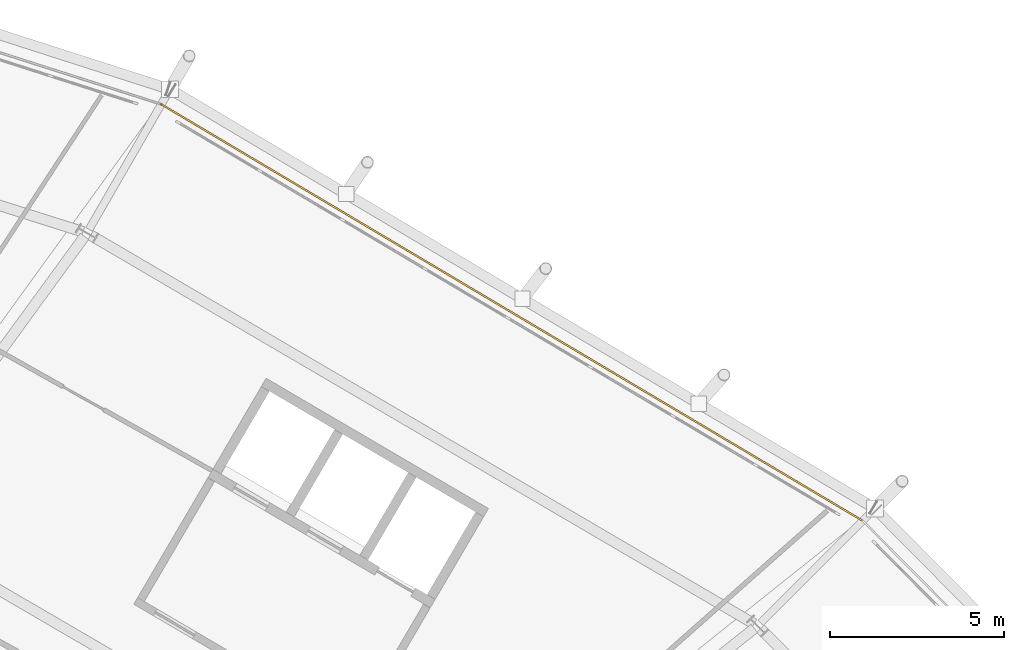
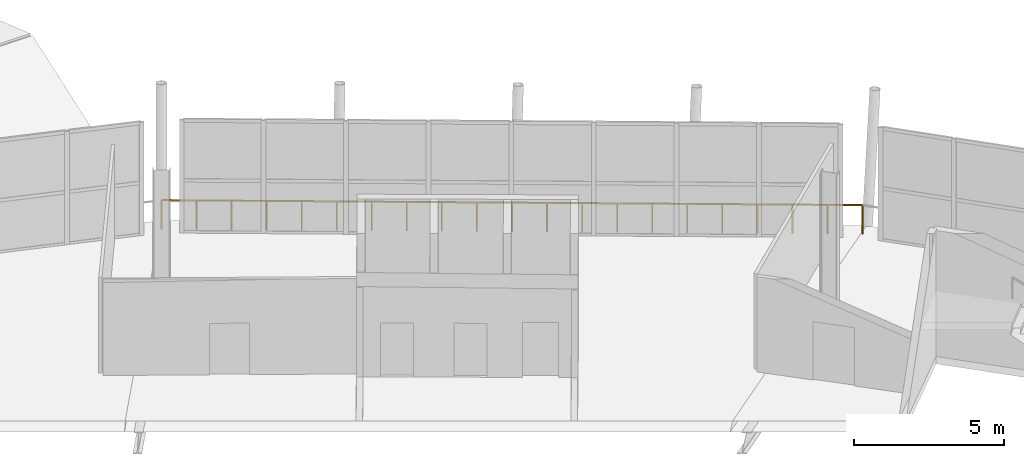
# One storey, part 126 of 126: 1 railing.
"""IFC4 building model written with IfcOpenShell, lengths in metres."""

import ifcopenshell
import ifcopenshell.guid

model = None  # the IFC model being written
_history = None  # IfcOwnerHistory: only IFC2X3 demands one
_inside = {}  # id of a spatial element -> (the spatial element, [elements in it])
_under = {}  # id of a project, library or spatial element -> (it, [spatial elements below it])
_declared = {}  # id of a project -> (the project, [libraries it declares])
_typed = {}  # id of a type object -> (the type object, [elements of that type])
_made_of = {}  # id of a material, layer set ... -> (it, [elements and type objects made of it])


def new_model(schema):
    """Start an empty IFC model of exactly this schema.

    Asked for "IFC4X3", IfcOpenShell would pick the latest addendum, in which some entities
    have other attributes; the version numbers below select the first issue.
    IFC2X3 requires an IfcOwnerHistory on every rooted entity: one is made here for all.
    """
    global model, _history
    if schema == "IFC4X3":
        model = ifcopenshell.file(schema_version=(4, 3, 0, 0))
    else:
        model = ifcopenshell.file(schema=schema)
    _inside.clear()
    _under.clear()
    _declared.clear()
    _typed.clear()
    _made_of.clear()
    _history = None
    if model.schema == "IFC2X3":
        org = make("IfcOrganization", Name="unknown")
        user = make(
            "IfcPersonAndOrganization",
            ThePerson=make("IfcPerson", FamilyName="unknown"),
            TheOrganization=org,
        )
        app = make(
            "IfcApplication",
            ApplicationDeveloper=org,
            Version="unknown",
            ApplicationFullName="unknown",
            ApplicationIdentifier="unknown",
        )
        _history = make(
            "IfcOwnerHistory",
            OwningUser=user,
            OwningApplication=app,
            ChangeAction="ADDED",
            CreationDate=0,
        )
    return model


def make(cls, **values):
    """One entity of the class cls with the attributes given. An attribute that is None is left unset."""
    return model.create_entity(
        cls, **{name: value for name, value in values.items() if value is not None}
    )


def rooted(cls, **values):
    """An entity with a GlobalId (a new one), such as an element, a storey or a relation."""
    return make(cls, GlobalId=ifcopenshell.guid.new(), OwnerHistory=_history, **values)


def si_unit(unit_type, name, prefix=None):
    """IfcSIUnit, for example si_unit("LENGTHUNIT", "METRE", prefix="MILLI")."""
    return make("IfcSIUnit", UnitType=unit_type, Prefix=prefix, Name=name)


def assignment(units):
    """IfcUnitAssignment: the units of a project."""
    return None if units is None else make("IfcUnitAssignment", Units=units)


def point(xyz):
    """IfcCartesianPoint."""
    return None if xyz is None else make("IfcCartesianPoint", Coordinates=xyz)


def direction(xyz):
    """IfcDirection."""
    return None if xyz is None else make("IfcDirection", DirectionRatios=xyz)


def frame(location, z_axis=None, x_axis=None):
    """IfcAxis2Placement3D, a coordinate frame: its origin and axes. An axis left out is left unset."""
    return make(
        "IfcAxis2Placement3D",
        Location=point(location),
        Axis=direction(z_axis),
        RefDirection=direction(x_axis),
    )


def frame_2d(location, x_axis=None):
    """IfcAxis2Placement2D, a coordinate frame in the plane: its origin and x axis."""
    return make(
        "IfcAxis2Placement2D", Location=point(location), RefDirection=direction(x_axis)
    )


def origin():
    """The frame at (0, 0, 0) with its axes left unset."""
    return frame((0.0, 0.0, 0.0))


def origin_2d():
    """The frame at (0, 0) in the plane with its x axis left unset."""
    return frame_2d((0.0, 0.0))


def place(relative_to, where):
    """IfcLocalPlacement: puts the frame where relative to a parent placement (None: the world)."""
    return make(
        "IfcLocalPlacement", PlacementRelTo=relative_to, RelativePlacement=where
    )


def context(
    kind, dimensions, precision=None, world=None, true_north=None, identifier=None
):
    """IfcGeometricRepresentationContext, for example the 3D "Model" context."""
    return make(
        "IfcGeometricRepresentationContext",
        ContextIdentifier=identifier,
        ContextType=kind,
        CoordinateSpaceDimension=dimensions,
        Precision=precision,
        WorldCoordinateSystem=world,
        TrueNorth=true_north,
    )


def subcontext(parent, identifier, kind, view, scale=None):
    """IfcGeometricRepresentationSubContext, for example "Body" below "Model"."""
    return make(
        "IfcGeometricRepresentationSubContext",
        ContextIdentifier=identifier,
        ContextType=kind,
        ParentContext=parent,
        TargetScale=scale,
        TargetView=view,
    )


def project(units=None, contexts=None):
    """IfcProject with its units and contexts."""
    return rooted(
        "IfcProject",
        Name="project",
        RepresentationContexts=contexts,
        UnitsInContext=assignment(units),
    )


def spatial(cls, under=None, at=None, **own):
    """A site, building, storey or space (cls), placed at a placement, below another one or the project."""
    s = rooted(cls, ObjectPlacement=at, **own)
    if under is not None:
        _under.setdefault(under.id(), (under, []))[1].append(s)
    return s


def profile(cls, at=None, kind="AREA", **sizes):
    """A parametric profile (cls). Its sizes go by their IFC names, for example OverallWidth=200.0."""
    return make(cls, ProfileType=kind, Position=at, **sizes)


def rectangle(**sizes):
    """IfcRectangleProfileDef."""
    return profile("IfcRectangleProfileDef", **sizes)


def extrude(swept, where, along, depth):
    """IfcExtrudedAreaSolid: the profile swept, set in the frame where, extruded along a direction by depth."""
    return make(
        "IfcExtrudedAreaSolid",
        SweptArea=swept,
        Position=where,
        ExtrudedDirection=direction(along),
        Depth=depth,
    )


def shape(context_of_items, identifier, shape_type, items):
    """IfcShapeRepresentation: the items that make up one representation, for example the "Body"."""
    return make(
        "IfcShapeRepresentation",
        ContextOfItems=context_of_items,
        RepresentationIdentifier=identifier,
        RepresentationType=shape_type,
        Items=items,
    )


def material(Name=None, Category=None):
    """IfcMaterial."""
    return make("IfcMaterial", Name=Name, Category=Category)


def made_of(thing, what):
    """Note that an element or type object is made of a material, layer set ...; save() writes the relation."""
    if what is not None:
        _made_of.setdefault(what.id(), (what, []))[1].append(thing)
    return thing


def type_object(cls, material=None, **own):
    """A type object (cls), such as IfcWallType, which elements share."""
    return made_of(rooted(cls, **own), material)


def element(
    cls,
    number,
    at=None,
    inside=None,
    cuts=None,
    type_object=None,
    material=None,
    context=None,
    identifier="Body",
    shape_type=None,
    held_by="IfcProductDefinitionShape",
    body=None,
    shapes=None,
    **own,
):
    """One element of the class cls, such as IfcWall. Its Tag is "e" and its number.

    at: its placement. inside: the storey or other place that contains it. cuts: it is an
    opening in that element (IfcRelVoidsElement). A single representation is given by context,
    identifier, shape_type and body (its items); several are given by shapes. held_by: the class
    of the entity that holds the representations. save() writes the other relations.
    """
    e = rooted(cls, Tag="e%d" % number, ObjectPlacement=at, **own)
    if body is not None:
        shapes = [shape(context, identifier, shape_type, body)]
    if shapes is not None:
        e.Representation = make(held_by, Representations=shapes)
    if inside is not None:
        _inside.setdefault(inside.id(), (inside, []))[1].append(e)
    if cuts is not None:
        rooted(
            "IfcRelVoidsElement", RelatingBuildingElement=cuts, RelatedOpeningElement=e
        )
    if type_object is not None:
        _typed.setdefault(type_object.id(), (type_object, []))[1].append(e)
    return made_of(e, material)


def aggregate(whole, parts):
    """IfcRelAggregates: a whole, such as a stair, and the parts it consists of."""
    return rooted("IfcRelAggregates", RelatingObject=whole, RelatedObjects=parts)


def save(model, path):
    """Write the relations noted so far, then the file.

    IfcRelAggregates (storeys below a building ...), IfcRelContainedInSpatialStructure (elements
    in a storey), IfcRelDefinesByType, IfcRelAssociatesMaterial and IfcRelDeclares: one each for
    every whole, place, type object, material and project.
    """
    for whole, parts in _under.values():
        aggregate(whole, parts)
    for where, things in _inside.values():
        rooted(
            "IfcRelContainedInSpatialStructure",
            RelatedElements=things,
            RelatingStructure=where,
        )
    for kind, things in _typed.values():
        rooted("IfcRelDefinesByType", RelatedObjects=things, RelatingType=kind)
    for what, things in _made_of.values():
        rooted("IfcRelAssociatesMaterial", RelatedObjects=things, RelatingMaterial=what)
    for by, libraries in _declared.values():
        rooted("IfcRelDeclares", RelatingContext=by, RelatedDefinitions=libraries)
    model.write(path)


model = new_model("IFC4")

# Units and contexts
model_context = context("Model", 3, precision=1e-05, world=origin(), true_north=direction((0.0, 1.0)))
body_context = subcontext(model_context, "Body", "Model", "MODEL_VIEW")
ifc_project = project(units=[si_unit("LENGTHUNIT", "METRE"), si_unit("AREAUNIT", "SQUARE_METRE"), si_unit("VOLUMEUNIT", "CUBIC_METRE"), si_unit("PLANEANGLEUNIT", "RADIAN"), si_unit("MASSUNIT", "GRAM", prefix="KILO")], contexts=[model_context])

# Site, building, storey
site_placement = place(None, origin())
site = spatial("IfcSite", under=ifc_project, at=site_placement, CompositionType="ELEMENT")
building_placement = place(site_placement, origin())
building = spatial("IfcBuilding", under=site, at=building_placement, Name="Zlatoyarsky Gate Stadium", CompositionType="ELEMENT")
storey_placement = place(building_placement, frame((0.0, 0.0, 20.800048828125)))
storey = spatial("IfcBuildingStorey", under=building, at=storey_placement, Name="L04", CompositionType="ELEMENT", Elevation=20.800048828125)

# Railing
ifc_material = material(Name="Powder-coated steel tubular guardrail", Category="steel")
railing_type = type_object("IfcRailingType", Name="CONCOURSE SLAB EDGE GUARDRAIL 1200", PredefinedType="GUARDRAIL", material=ifc_material)
railing_placement = place(storey_placement, frame((179.780029296875, 133.2236328125, 0.0)))
element("IfcRailing", 1, at=railing_placement, inside=storey, type_object=railing_type, Name="L04 outer slab edge guardrail 03", PredefinedType="GUARDRAIL", context=body_context, shape_type="SweptSolid", body=[
    extrude(rectangle(XDim=0.048095703125, YDim=0.048095703125, at=origin_2d()), frame((0.0, 0.0, 1.17578125), z_axis=(-0.859846881346, 0.510551996019, 0.0), x_axis=(-0.510551996019, -0.859846881346, 0.0)), (0.0, 0.0, 1.0), 23.428955078125),
    extrude(rectangle(XDim=0.0419921875, YDim=0.0419921875, at=origin_2d()), origin(), (0.0, 0.0, 1.0), 1.15185546875),
    extrude(rectangle(XDim=0.0419921875, YDim=0.0419921875, at=origin_2d()), frame((-1.00732421875, 0.59814453125, 0.0)), (0.0, 0.0, 1.0), 1.15185546875),
    extrude(rectangle(XDim=0.0419921875, YDim=0.0419921875, at=origin_2d()), frame((-2.0146484375, 1.1962890625, 0.0)), (0.0, 0.0, 1.0), 1.15185546875),
    extrude(rectangle(XDim=0.0419921875, YDim=0.0419921875, at=origin_2d()), frame((-3.021728515625, 1.794189453125, 0.0)), (0.0, 0.0, 1.0), 1.15185546875),
    extrude(rectangle(XDim=0.0419921875, YDim=0.0419921875, at=origin_2d()), frame((-4.029052734375, 2.392333984375, 0.0)), (0.0, 0.0, 1.0), 1.15185546875),
    extrude(rectangle(XDim=0.0419921875, YDim=0.0419921875, at=origin_2d()), frame((-5.036376953125, 2.990478515625, 0.0)), (0.0, 0.0, 1.0), 1.15185546875),
    extrude(rectangle(XDim=0.0419921875, YDim=0.0419921875, at=origin_2d()), frame((-6.04345703125, 3.58837890625, 0.0)), (0.0, 0.0, 1.0), 1.15185546875),
    extrude(rectangle(XDim=0.0419921875, YDim=0.0419921875, at=origin_2d()), frame((-7.05078125, 4.1865234375, 0.0)), (0.0, 0.0, 1.0), 1.15185546875),
    extrude(rectangle(XDim=0.0419921875, YDim=0.0419921875, at=origin_2d()), frame((-8.05810546875, 4.78466796875, 0.0)), (0.0, 0.0, 1.0), 1.15185546875),
    extrude(rectangle(XDim=0.0419921875, YDim=0.0419921875, at=origin_2d()), frame((-9.0654296875, 5.3828125, 0.0)), (0.0, 0.0, 1.0), 1.15185546875),
    extrude(rectangle(XDim=0.0419921875, YDim=0.0419921875, at=origin_2d()), frame((-10.07275390625, 5.98095703125, 0.0)), (0.0, 0.0, 1.0), 1.15185546875),
    extrude(rectangle(XDim=0.0419921875, YDim=0.0419921875, at=origin_2d()), frame((-11.079833984375, 6.578857421875, 0.0)), (0.0, 0.0, 1.0), 1.15185546875),
    extrude(rectangle(XDim=0.0419921875, YDim=0.0419921875, at=origin_2d()), frame((-12.087158203125, 7.177001953125, 0.0)), (0.0, 0.0, 1.0), 1.15185546875),
    extrude(rectangle(XDim=0.0419921875, YDim=0.0419921875, at=origin_2d()), frame((-13.094482421875, 7.775146484375, 0.0)), (0.0, 0.0, 1.0), 1.15185546875),
    extrude(rectangle(XDim=0.0419921875, YDim=0.0419921875, at=origin_2d()), frame((-14.1015625, 8.373046875, 0.0)), (0.0, 0.0, 1.0), 1.15185546875),
    extrude(rectangle(XDim=0.0419921875, YDim=0.0419921875, at=origin_2d()), frame((-15.10888671875, 8.97119140625, 0.0)), (0.0, 0.0, 1.0), 1.15185546875),
    extrude(rectangle(XDim=0.0419921875, YDim=0.0419921875, at=origin_2d()), frame((-16.1162109375, 9.5693359375, 0.0)), (0.0, 0.0, 1.0), 1.15185546875),
    extrude(rectangle(XDim=0.0419921875, YDim=0.0419921875, at=origin_2d()), frame((-17.12353515625, 10.16748046875, 0.0)), (0.0, 0.0, 1.0), 1.15185546875),
    extrude(rectangle(XDim=0.0419921875, YDim=0.0419921875, at=origin_2d()), frame((-18.130859375, 10.765625, 0.0)), (0.0, 0.0, 1.0), 1.15185546875),
    extrude(rectangle(XDim=0.0419921875, YDim=0.0419921875, at=origin_2d()), frame((-19.137939453125, 11.363525390625, 0.0)), (0.0, 0.0, 1.0), 1.15185546875),
    extrude(rectangle(XDim=0.0419921875, YDim=0.0419921875, at=origin_2d()), frame((-20.145263671875, 11.961669921875, 0.0)), (0.0, 0.0, 1.0), 1.15185546875),
])

save(model, "model.ifc")
